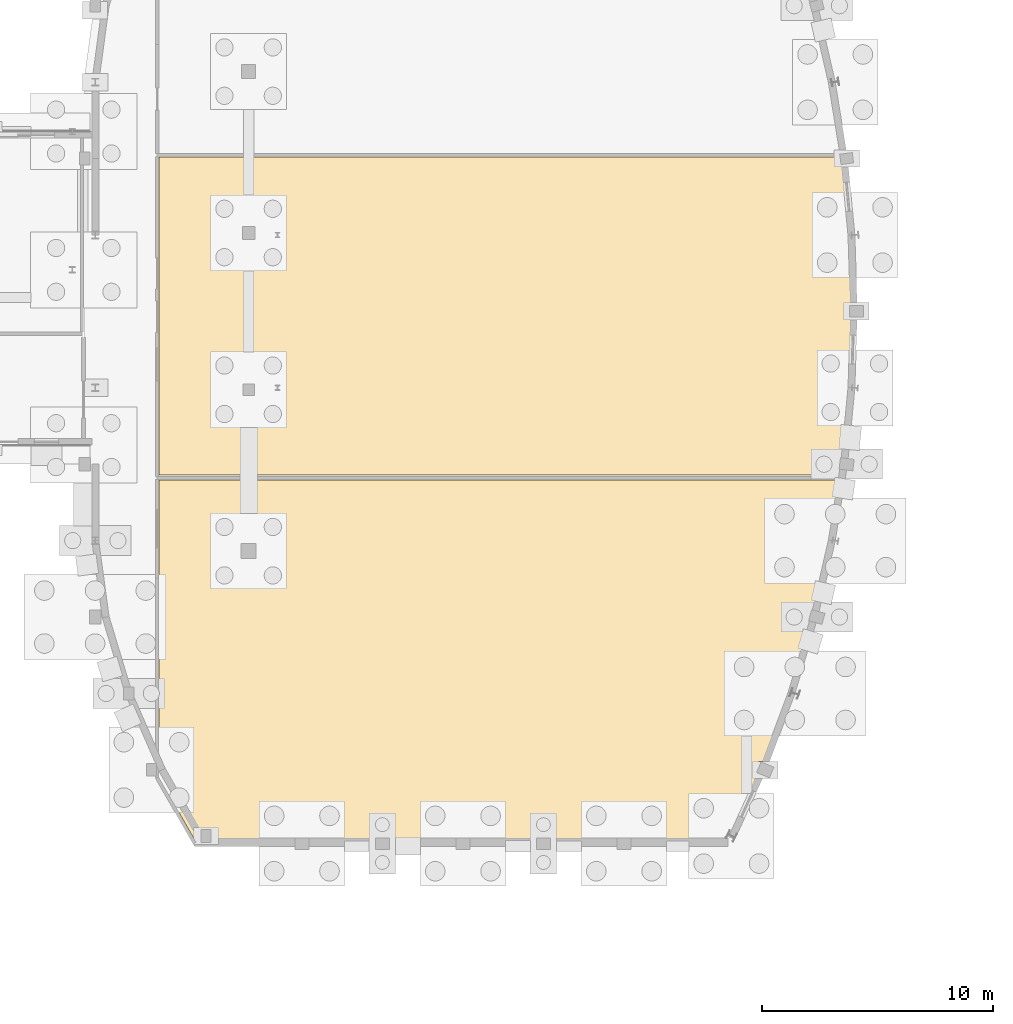
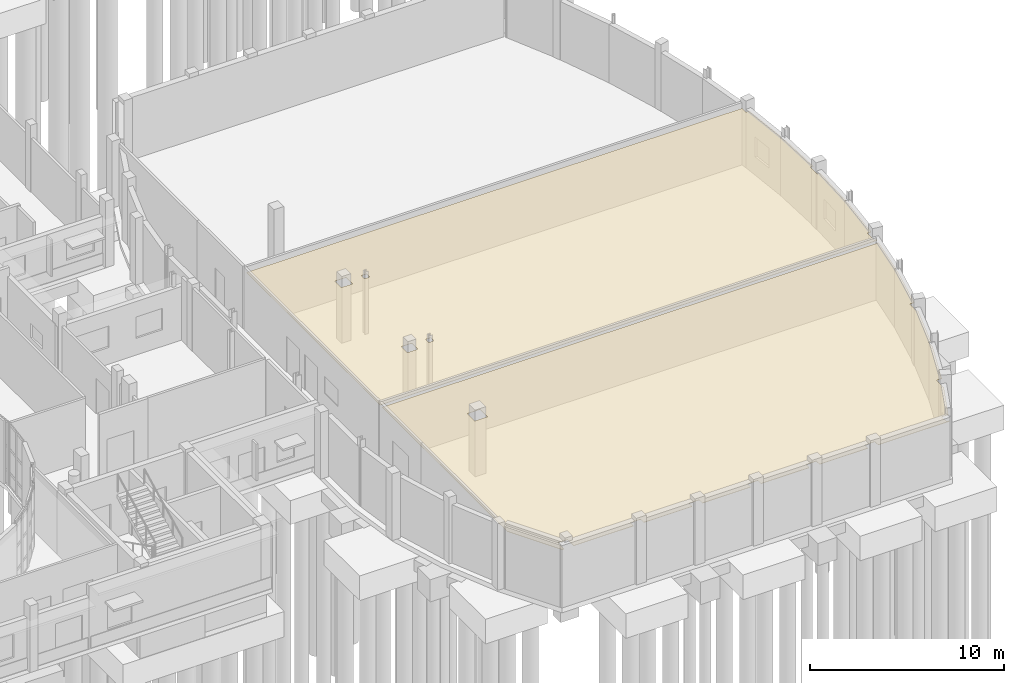
# One storey, part 90 of 93: 2 coverings.
"""IFC4 building model written with IfcOpenShell, lengths in metres."""

from ifc_helpers import new_model, si_unit, direction, frame, origin, place, context, subcontext, project, spatial, polyline, outline, extrude, material, layer, layer_set, type_object, element, save


model = new_model("IFC4")

# Units and contexts
model_context = context("Model", 3, precision=1e-05, world=origin(), true_north=direction((0.0, 1.0)))
body_context = subcontext(model_context, "Body", "Model", "MODEL_VIEW")
ifc_project = project(units=[si_unit("LENGTHUNIT", "METRE"), si_unit("AREAUNIT", "SQUARE_METRE"), si_unit("VOLUMEUNIT", "CUBIC_METRE"), si_unit("PLANEANGLEUNIT", "RADIAN"), si_unit("MASSUNIT", "GRAM", prefix="KILO")], contexts=[model_context])

# Site, building, storey
site_placement = place(None, origin())
site = spatial("IfcSite", under=ifc_project, at=site_placement, CompositionType="ELEMENT")
building_placement = place(site_placement, origin())
building = spatial("IfcBuilding", under=site, at=building_placement, Name="Kelanivale Promenade Academy", CompositionType="ELEMENT")
storey_placement = place(building_placement, origin())
storey = spatial("IfcBuildingStorey", under=building, at=storey_placement, Name="L00", CompositionType="ELEMENT", Elevation=0.0)

# Coverings
ifc_material = material(Name="Acoustic mineral-fibre ceiling tile 25 mm", Category="gypsum")
ifc_layer = layer(ifc_material, 0.02490234375)
ifc_layer_set = layer_set([ifc_layer], Name="Acoustic mineral-fibre ceiling tile 25 mm")
covering_type = type_object("IfcCoveringType", Name="COV-CLG1 Acoustic mineral-fibre ceiling tile ", PredefinedType="CEILING", material=ifc_layer_set)
covering_1_placement = place(storey_placement, frame((0.0, 0.0, 3.550048828125)))
element("IfcCovering", 1, at=covering_1_placement, inside=storey, type_object=covering_type, Name="Music Recital Studio acoustic suspended ceiling", PredefinedType="CEILING", context=body_context, shape_type="SweptSolid", body=[
    extrude(outline(polyline([(153.447998046875, 39.410888671875), (153.447021484375, 39.4130859375), (153.445068359375, 39.416015625), (153.445068359375, 39.419921875), (153.444091796875, 39.424072265625), (153.444091796875, 39.427978515625), (153.444091796875, 39.830078125), (153.444091796875, 39.833984375), (153.445068359375, 39.837890625), (153.445068359375, 39.842041015625), (153.447021484375, 39.844970703125), (153.447998046875, 39.84912109375), (153.449951171875, 39.85205078125), (153.452880859375, 39.85498046875), (153.455078125, 39.85791015625), (153.4580078125, 39.861083984375), (153.4619140625, 39.863037109375), (153.465087890625, 39.864990234375), (153.468017578125, 39.866943359375), (153.471923828125, 39.867919921875), (153.47607421875, 39.868896484375), (153.47998046875, 39.8701171875), (153.48388671875, 39.8701171875), (153.60498046875, 39.8701171875), (154.4169921875, 42.5830078125), (154.3720703125, 42.5830078125), (154.367919921875, 42.5830078125), (154.364013671875, 42.583984375), (154.360107421875, 42.5849609375), (154.35693359375, 42.5859375), (154.35302734375, 42.587890625), (154.35009765625, 42.590087890625), (154.346923828125, 42.592041015625), (154.343994140625, 42.594970703125), (154.341064453125, 42.597900390625), (154.339111328125, 42.60107421875), (154.3369140625, 42.60400390625), (154.3349609375, 42.60791015625), (154.333984375, 42.611083984375), (154.3330078125, 42.614990234375), (154.33203125, 42.618896484375), (154.33203125, 42.623046875), (154.33203125, 43.262939453125), (154.33203125, 43.26708984375), (154.3330078125, 43.27099609375), (154.333984375, 43.27490234375), (154.3349609375, 43.278076171875), (154.3369140625, 43.281982421875), (154.339111328125, 43.284912109375), (154.341064453125, 43.2880859375), (154.343994140625, 43.291015625), (154.346923828125, 43.2939453125), (154.35009765625, 43.2958984375), (154.35302734375, 43.298095703125), (154.35693359375, 43.300048828125), (154.360107421875, 43.301025390625), (154.364013671875, 43.302001953125), (154.367919921875, 43.302978515625), (154.3720703125, 43.302978515625), (154.610107421875, 43.302978515625), (155.2529296875, 46.10791015625), (155.2529296875, 46.406982421875), (155.2529296875, 46.410888671875), (155.25390625, 46.4150390625), (155.2548828125, 46.4189453125), (155.256103515625, 46.422119140625), (155.258056640625, 46.426025390625), (155.260009765625, 46.428955078125), (155.261962890625, 46.43310546875), (155.264892578125, 46.43505859375), (155.26708984375, 46.43798828125), (155.27099609375, 46.43994140625), (155.27392578125, 46.44189453125), (155.278076171875, 46.444091796875), (155.281005859375, 46.445068359375), (155.284912109375, 46.446044921875), (155.2890625, 46.447021484375), (155.29296875, 46.447021484375), (155.320068359375, 46.447021484375), (155.714111328125, 48.889892578125), (126.110107421875, 48.889892578125), (126.110107421875, 35.987060546875), (127.737060546875, 33.14990234375), (127.864990234375, 33.14990234375), (127.864990234375, 33.15087890625), (127.864990234375, 33.155029296875), (127.864990234375, 33.7451171875), (127.864990234375, 33.7490234375), (127.865966796875, 33.7529296875), (127.866943359375, 33.757080078125), (127.867919921875, 33.760009765625), (127.8701171875, 33.763916015625), (127.8720703125, 33.76708984375), (127.8740234375, 33.77001953125), (127.876953125, 33.77294921875), (127.8798828125, 33.77587890625), (127.883056640625, 33.778076171875), (127.885986328125, 33.780029296875), (127.889892578125, 33.781982421875), (127.89306640625, 33.782958984375), (127.89697265625, 33.783935546875), (127.90087890625, 33.784912109375), (127.905029296875, 33.784912109375), (128.39501953125, 33.784912109375), (128.39892578125, 33.784912109375), (128.403076171875, 33.783935546875), (128.406982421875, 33.782958984375), (128.409912109375, 33.781982421875), (128.4140625, 33.780029296875), (128.4169921875, 33.778076171875), (128.419921875, 33.77587890625), (128.423095703125, 33.77294921875), (128.426025390625, 33.77001953125), (128.427978515625, 33.76708984375), (128.429931640625, 33.763916015625), (128.431884765625, 33.760009765625), (128.43310546875, 33.757080078125), (128.43408203125, 33.7529296875), (128.43505859375, 33.7490234375), (128.43505859375, 33.7451171875), (128.43505859375, 33.155029296875), (128.43505859375, 33.15087890625), (128.43505859375, 33.14990234375), (131.998046875, 33.14990234375), (131.998046875, 33.43994140625), (131.998046875, 33.444091796875), (131.9990234375, 33.447998046875), (132.0, 33.451904296875), (132.0009765625, 33.455078125), (132.0029296875, 33.458984375), (132.0048828125, 33.4619140625), (132.007080078125, 33.465087890625), (132.010009765625, 33.468017578125), (132.012939453125, 33.470947265625), (132.01611328125, 33.472900390625), (132.01904296875, 33.47509765625), (132.02294921875, 33.47705078125), (132.02587890625, 33.47802734375), (132.030029296875, 33.47900390625), (132.033935546875, 33.47998046875), (132.0380859375, 33.47998046875), (132.577880859375, 33.47998046875), (132.58203125, 33.47998046875), (132.5859375, 33.47900390625), (132.590087890625, 33.47802734375), (132.593017578125, 33.47705078125), (132.596923828125, 33.47509765625), (132.60009765625, 33.472900390625), (132.60302734375, 33.470947265625), (132.60595703125, 33.468017578125), (132.60888671875, 33.465087890625), (132.611083984375, 33.4619140625), (132.613037109375, 33.458984375), (132.614990234375, 33.455078125), (132.615966796875, 33.451904296875), (132.616943359375, 33.447998046875), (132.617919921875, 33.444091796875), (132.617919921875, 33.43994140625), (132.617919921875, 33.14990234375), (135.490966796875, 33.14990234375), (135.490966796875, 33.43994140625), (135.490966796875, 33.444091796875), (135.491943359375, 33.447998046875), (135.492919921875, 33.451904296875), (135.493896484375, 33.455078125), (135.49609375, 33.458984375), (135.498046875, 33.4619140625), (135.5, 33.465087890625), (135.5029296875, 33.468017578125), (135.506103515625, 33.470947265625), (135.509033203125, 33.472900390625), (135.511962890625, 33.47509765625), (135.51611328125, 33.47705078125), (135.51904296875, 33.47802734375), (135.52294921875, 33.47900390625), (135.527099609375, 33.47998046875), (135.531005859375, 33.47998046875), (136.071044921875, 33.47998046875), (136.074951171875, 33.47998046875), (136.0791015625, 33.47900390625), (136.0830078125, 33.47802734375), (136.0859375, 33.47705078125), (136.090087890625, 33.47509765625), (136.093017578125, 33.472900390625), (136.095947265625, 33.470947265625), (136.09912109375, 33.468017578125), (136.10205078125, 33.465087890625), (136.10400390625, 33.4619140625), (136.10595703125, 33.458984375), (136.10791015625, 33.455078125), (136.10888671875, 33.451904296875), (136.110107421875, 33.447998046875), (136.111083984375, 33.444091796875), (136.111083984375, 33.43994140625), (136.111083984375, 33.14990234375), (138.98388671875, 33.14990234375), (138.98388671875, 33.43994140625), (138.98388671875, 33.444091796875), (138.985107421875, 33.447998046875), (138.986083984375, 33.451904296875), (138.987060546875, 33.455078125), (138.989013671875, 33.458984375), (138.990966796875, 33.4619140625), (138.992919921875, 33.465087890625), (138.99609375, 33.468017578125), (138.9990234375, 33.470947265625), (139.001953125, 33.472900390625), (139.0048828125, 33.47509765625), (139.009033203125, 33.47705078125), (139.011962890625, 33.47802734375), (139.01611328125, 33.47900390625), (139.02001953125, 33.47998046875), (139.02392578125, 33.47998046875), (139.56396484375, 33.47998046875), (139.568115234375, 33.47998046875), (139.572021484375, 33.47900390625), (139.575927734375, 33.47802734375), (139.5791015625, 33.47705078125), (139.5830078125, 33.47509765625), (139.5859375, 33.472900390625), (139.589111328125, 33.470947265625), (139.592041015625, 33.468017578125), (139.594970703125, 33.465087890625), (139.596923828125, 33.4619140625), (139.59912109375, 33.458984375), (139.60107421875, 33.455078125), (139.60205078125, 33.451904296875), (139.60302734375, 33.447998046875), (139.60400390625, 33.444091796875), (139.60400390625, 33.43994140625), (139.60400390625, 33.14990234375), (142.47705078125, 33.14990234375), (142.47705078125, 33.43994140625), (142.47705078125, 33.444091796875), (142.47802734375, 33.447998046875), (142.47900390625, 33.451904296875), (142.47998046875, 33.455078125), (142.48193359375, 33.458984375), (142.48388671875, 33.4619140625), (142.486083984375, 33.465087890625), (142.489013671875, 33.468017578125), (142.491943359375, 33.470947265625), (142.4951171875, 33.472900390625), (142.498046875, 33.47509765625), (142.501953125, 33.47705078125), (142.5048828125, 33.47802734375), (142.509033203125, 33.47900390625), (142.512939453125, 33.47998046875), (142.51708984375, 33.47998046875), (143.056884765625, 33.47998046875), (143.06103515625, 33.47998046875), (143.06494140625, 33.47900390625), (143.069091796875, 33.47802734375), (143.072021484375, 33.47705078125), (143.075927734375, 33.47509765625), (143.0791015625, 33.472900390625), (143.08203125, 33.470947265625), (143.0849609375, 33.468017578125), (143.087890625, 33.465087890625), (143.090087890625, 33.4619140625), (143.092041015625, 33.458984375), (143.093994140625, 33.455078125), (143.094970703125, 33.451904296875), (143.095947265625, 33.447998046875), (143.096923828125, 33.444091796875), (143.096923828125, 33.43994140625), (143.096923828125, 33.14990234375), (145.969970703125, 33.14990234375), (145.969970703125, 33.43994140625), (145.969970703125, 33.444091796875), (145.970947265625, 33.447998046875), (145.971923828125, 33.451904296875), (145.972900390625, 33.455078125), (145.97509765625, 33.458984375), (145.97705078125, 33.4619140625), (145.97900390625, 33.465087890625), (145.98193359375, 33.468017578125), (145.985107421875, 33.470947265625), (145.988037109375, 33.472900390625), (145.990966796875, 33.47509765625), (145.9951171875, 33.47705078125), (145.998046875, 33.47802734375), (146.001953125, 33.47900390625), (146.006103515625, 33.47998046875), (146.010009765625, 33.47998046875), (146.550048828125, 33.47998046875), (146.553955078125, 33.47998046875), (146.55810546875, 33.47900390625), (146.56201171875, 33.47802734375), (146.56494140625, 33.47705078125), (146.569091796875, 33.47509765625), (146.572021484375, 33.472900390625), (146.574951171875, 33.470947265625), (146.577880859375, 33.468017578125), (146.5810546875, 33.465087890625), (146.5830078125, 33.4619140625), (146.5849609375, 33.458984375), (146.5869140625, 33.455078125), (146.587890625, 33.451904296875), (146.589111328125, 33.447998046875), (146.590087890625, 33.444091796875), (146.590087890625, 33.43994140625), (146.590087890625, 33.14990234375), (150.842041015625, 33.14990234375), (150.867919921875, 33.208984375), (150.73291015625, 33.208984375), (150.72900390625, 33.208984375), (150.72509765625, 33.2099609375), (150.720947265625, 33.2109375), (150.717041015625, 33.2119140625), (150.714111328125, 33.214111328125), (150.7109375, 33.216064453125), (150.70703125, 33.218017578125), (150.7041015625, 33.220947265625), (150.701904296875, 33.22412109375), (150.698974609375, 33.22705078125), (150.697021484375, 33.22998046875), (150.696044921875, 33.23388671875), (150.694091796875, 33.237060546875), (150.694091796875, 33.240966796875), (150.693115234375, 33.2451171875), (150.693115234375, 33.2490234375), (150.693115234375, 33.65087890625), (150.693115234375, 33.655029296875), (150.694091796875, 33.658935546875), (150.694091796875, 33.6630859375), (150.696044921875, 33.666015625), (150.697021484375, 33.669921875), (150.698974609375, 33.673095703125), (150.701904296875, 33.676025390625), (150.7041015625, 33.678955078125), (150.70703125, 33.681884765625), (150.7109375, 33.68408203125), (150.714111328125, 33.68603515625), (150.717041015625, 33.68798828125), (150.720947265625, 33.68896484375), (150.72509765625, 33.68994140625), (150.72900390625, 33.69091796875), (150.73291015625, 33.69091796875), (151.087890625, 33.69091796875), (152.1201171875, 35.9580078125), (152.117919921875, 35.958984375), (152.114990234375, 35.9609375), (152.112060546875, 35.962890625), (152.10888671875, 35.966064453125), (152.10595703125, 35.968994140625), (152.10400390625, 35.971923828125), (152.10205078125, 35.97509765625), (152.10009765625, 35.97900390625), (152.09912109375, 35.98193359375), (152.097900390625, 35.986083984375), (152.096923828125, 35.989990234375), (152.096923828125, 35.993896484375), (152.096923828125, 36.634033203125), (152.096923828125, 36.637939453125), (152.097900390625, 36.64208984375), (152.09912109375, 36.64599609375), (152.10009765625, 36.64892578125), (152.10205078125, 36.653076171875), (152.10400390625, 36.656005859375), (152.10595703125, 36.658935546875), (152.10888671875, 36.662109375), (152.112060546875, 36.6650390625), (152.114990234375, 36.6669921875), (152.117919921875, 36.6689453125), (152.1220703125, 36.6708984375), (152.125, 36.672119140625), (152.12890625, 36.673095703125), (152.133056640625, 36.674072265625), (152.136962890625, 36.674072265625), (152.4208984375, 36.674072265625), (153.447998046875, 39.410888671875)]), holes=[polyline([(130.385009765625, 45.455078125), (130.385009765625, 45.450927734375), (130.384033203125, 45.447021484375), (130.383056640625, 45.443115234375), (130.382080078125, 45.43994140625), (130.3798828125, 45.43603515625), (130.3779296875, 45.43310546875), (130.3759765625, 45.429931640625), (130.373046875, 45.427001953125), (130.3701171875, 45.424072265625), (130.366943359375, 45.422119140625), (130.364013671875, 45.419921875), (130.360107421875, 45.41796875), (130.35693359375, 45.4169921875), (130.35302734375, 45.416015625), (130.34912109375, 45.4150390625), (130.344970703125, 45.4150390625), (129.655029296875, 45.4150390625), (129.65087890625, 45.4150390625), (129.64697265625, 45.416015625), (129.64306640625, 45.4169921875), (129.639892578125, 45.41796875), (129.635986328125, 45.419921875), (129.633056640625, 45.422119140625), (129.6298828125, 45.424072265625), (129.626953125, 45.427001953125), (129.6240234375, 45.429931640625), (129.6220703125, 45.43310546875), (129.6201171875, 45.43603515625), (129.617919921875, 45.43994140625), (129.616943359375, 45.443115234375), (129.615966796875, 45.447021484375), (129.614990234375, 45.450927734375), (129.614990234375, 45.455078125), (129.614990234375, 46.14501953125), (129.614990234375, 46.14892578125), (129.615966796875, 46.153076171875), (129.616943359375, 46.156982421875), (129.617919921875, 46.159912109375), (129.6201171875, 46.1640625), (129.6220703125, 46.1669921875), (129.6240234375, 46.169921875), (129.626953125, 46.173095703125), (129.6298828125, 46.176025390625), (129.633056640625, 46.177978515625), (129.635986328125, 46.179931640625), (129.639892578125, 46.181884765625), (129.64306640625, 46.18310546875), (129.64697265625, 46.18408203125), (129.65087890625, 46.18505859375), (129.655029296875, 46.18505859375), (130.344970703125, 46.18505859375), (130.34912109375, 46.18505859375), (130.35302734375, 46.18408203125), (130.35693359375, 46.18310546875), (130.360107421875, 46.181884765625), (130.364013671875, 46.179931640625), (130.366943359375, 46.177978515625), (130.3701171875, 46.176025390625), (130.373046875, 46.173095703125), (130.3759765625, 46.169921875), (130.3779296875, 46.1669921875), (130.3798828125, 46.1640625), (130.382080078125, 46.159912109375), (130.383056640625, 46.156982421875), (130.384033203125, 46.153076171875), (130.385009765625, 46.14892578125), (130.385009765625, 46.14501953125), (130.385009765625, 45.455078125)])]), origin(), (0.0, 0.0, 1.0), 0.02490234375),
])
covering_2_placement = place(storey_placement, frame((0.0, 0.0, 3.550048828125)))
element("IfcCovering", 2, at=covering_2_placement, inside=storey, type_object=covering_type, Name="Drama Black-Box Studio acoustic suspended ceiling", PredefinedType="CEILING", context=body_context, shape_type="SweptSolid", body=[
    extrude(outline(polyline([(155.75, 49.110107421875), (155.76611328125, 49.2109375), (155.666015625, 49.2109375), (155.662109375, 49.2109375), (155.657958984375, 49.2119140625), (155.654052734375, 49.212890625), (155.65087890625, 49.214111328125), (155.64697265625, 49.216064453125), (155.64404296875, 49.218017578125), (155.64111328125, 49.219970703125), (155.637939453125, 49.222900390625), (155.635009765625, 49.22607421875), (155.633056640625, 49.22900390625), (155.631103515625, 49.23193359375), (155.62890625, 49.236083984375), (155.6279296875, 49.239013671875), (155.626953125, 49.242919921875), (155.6259765625, 49.2470703125), (155.6259765625, 49.2509765625), (155.6259765625, 49.89111328125), (155.6259765625, 49.89501953125), (155.626953125, 49.89892578125), (155.6279296875, 49.903076171875), (155.62890625, 49.906005859375), (155.631103515625, 49.909912109375), (155.633056640625, 49.9130859375), (155.635009765625, 49.916015625), (155.637939453125, 49.9189453125), (155.64111328125, 49.922119140625), (155.64404296875, 49.924072265625), (155.64697265625, 49.926025390625), (155.65087890625, 49.927978515625), (155.654052734375, 49.928955078125), (155.657958984375, 49.929931640625), (155.662109375, 49.930908203125), (155.666015625, 49.930908203125), (155.860107421875, 49.930908203125), (156.1259765625, 52.700927734375), (156.1240234375, 52.702880859375), (156.1201171875, 52.705078125), (156.117919921875, 52.7080078125), (156.114990234375, 52.7099609375), (156.113037109375, 52.714111328125), (156.111083984375, 52.717041015625), (156.10888671875, 52.720947265625), (156.10791015625, 52.72412109375), (156.10693359375, 52.72802734375), (156.10595703125, 52.73193359375), (156.10595703125, 52.736083984375), (156.10595703125, 53.035888671875), (156.10595703125, 53.0400390625), (156.10693359375, 53.0439453125), (156.10791015625, 53.048095703125), (156.10888671875, 53.051025390625), (156.111083984375, 53.054931640625), (156.113037109375, 53.05810546875), (156.114990234375, 53.06201171875), (156.117919921875, 53.06396484375), (156.1201171875, 53.06689453125), (156.1240234375, 53.069091796875), (156.126953125, 53.071044921875), (156.131103515625, 53.072998046875), (156.134033203125, 53.073974609375), (156.137939453125, 53.074951171875), (156.14208984375, 53.075927734375), (156.14599609375, 53.075927734375), (156.14990234375, 53.075927734375), (156.238037109375, 55.840087890625), (156.090087890625, 55.840087890625), (156.0859375, 55.840087890625), (156.08203125, 55.841064453125), (156.077880859375, 55.842041015625), (156.074951171875, 55.843017578125), (156.071044921875, 55.844970703125), (156.068115234375, 55.846923828125), (156.06494140625, 55.84912109375), (156.06201171875, 55.85205078125), (156.05908203125, 55.85498046875), (156.056884765625, 55.85791015625), (156.054931640625, 55.861083984375), (156.052978515625, 55.864990234375), (156.052001953125, 55.867919921875), (156.051025390625, 55.8720703125), (156.050048828125, 55.8759765625), (156.050048828125, 55.8798828125), (156.050048828125, 56.52001953125), (156.050048828125, 56.52392578125), (156.051025390625, 56.528076171875), (156.052001953125, 56.531982421875), (156.052978515625, 56.534912109375), (156.054931640625, 56.5390625), (156.056884765625, 56.5419921875), (156.05908203125, 56.544921875), (156.06201171875, 56.548095703125), (156.06494140625, 56.551025390625), (156.068115234375, 56.552978515625), (156.071044921875, 56.554931640625), (156.074951171875, 56.556884765625), (156.077880859375, 56.55810546875), (156.08203125, 56.55908203125), (156.0859375, 56.56005859375), (156.090087890625, 56.56005859375), (156.238037109375, 56.56005859375), (156.15087890625, 59.297119140625), (156.1201171875, 59.297119140625), (156.115966796875, 59.297119140625), (156.112060546875, 59.298095703125), (156.10888671875, 59.298095703125), (156.10498046875, 59.300048828125), (156.10107421875, 59.301025390625), (156.097900390625, 59.302978515625), (156.094970703125, 59.305908203125), (156.092041015625, 59.30810546875), (156.089111328125, 59.31103515625), (156.0869140625, 59.31494140625), (156.0849609375, 59.318115234375), (156.0830078125, 59.321044921875), (156.08203125, 59.324951171875), (156.0810546875, 59.3291015625), (156.080078125, 59.3330078125), (156.080078125, 59.3369140625), (156.080078125, 59.69091796875), (156.080078125, 59.695068359375), (156.0810546875, 59.698974609375), (156.08203125, 59.702880859375), (156.0830078125, 59.70703125), (156.0849609375, 59.7099609375), (156.0869140625, 59.712890625), (156.089111328125, 59.717041015625), (156.092041015625, 59.719970703125), (156.094970703125, 59.721923828125), (156.097900390625, 59.72509765625), (156.10107421875, 59.72705078125), (156.10498046875, 59.72802734375), (156.10888671875, 59.72998046875), (156.112060546875, 59.72998046875), (156.115966796875, 59.73095703125), (156.1201171875, 59.73095703125), (156.1220703125, 59.73095703125), (155.85791015625, 62.493896484375), (155.69091796875, 62.493896484375), (155.68701171875, 62.493896484375), (155.68310546875, 62.4951171875), (155.678955078125, 62.49609375), (155.676025390625, 62.4970703125), (155.672119140625, 62.4990234375), (155.6689453125, 62.5009765625), (155.666015625, 62.5029296875), (155.6630859375, 62.506103515625), (155.659912109375, 62.509033203125), (155.657958984375, 62.511962890625), (155.656005859375, 62.514892578125), (155.654052734375, 62.51904296875), (155.653076171875, 62.52197265625), (155.652099609375, 62.52587890625), (155.65087890625, 62.530029296875), (155.65087890625, 62.533935546875), (155.65087890625, 62.889892578125), (126.110107421875, 62.889892578125), (126.110107421875, 49.110107421875), (155.75, 49.110107421875)]), holes=[polyline([(131.412109375, 52.762939453125), (131.412109375, 52.759033203125), (131.410888671875, 52.7548828125), (131.409912109375, 52.7509765625), (131.408935546875, 52.748046875), (131.406982421875, 52.743896484375), (131.405029296875, 52.740966796875), (131.403076171875, 52.738037109375), (131.39990234375, 52.735107421875), (131.39794921875, 52.73193359375), (131.39404296875, 52.72998046875), (131.39111328125, 52.72802734375), (131.386962890625, 52.72607421875), (131.384033203125, 52.72509765625), (131.3798828125, 52.72412109375), (131.3759765625, 52.722900390625), (131.3720703125, 52.722900390625), (131.1279296875, 52.722900390625), (131.1240234375, 52.722900390625), (131.1201171875, 52.72412109375), (131.115966796875, 52.72509765625), (131.113037109375, 52.72607421875), (131.10888671875, 52.72802734375), (131.10595703125, 52.72998046875), (131.10205078125, 52.73193359375), (131.10009765625, 52.735107421875), (131.096923828125, 52.738037109375), (131.094970703125, 52.740966796875), (131.093017578125, 52.743896484375), (131.091064453125, 52.748046875), (131.090087890625, 52.7509765625), (131.089111328125, 52.7548828125), (131.087890625, 52.759033203125), (131.087890625, 52.762939453125), (131.087890625, 53.009033203125), (131.087890625, 53.012939453125), (131.089111328125, 53.01708984375), (131.090087890625, 53.02099609375), (131.091064453125, 53.02392578125), (131.093017578125, 53.028076171875), (131.094970703125, 53.031005859375), (131.096923828125, 53.033935546875), (131.10009765625, 53.037109375), (131.10205078125, 53.0400390625), (131.10595703125, 53.0419921875), (131.10888671875, 53.0439453125), (131.113037109375, 53.0458984375), (131.115966796875, 53.047119140625), (131.1201171875, 53.048095703125), (131.1240234375, 53.049072265625), (131.1279296875, 53.049072265625), (131.3720703125, 53.049072265625), (131.3759765625, 53.049072265625), (131.3798828125, 53.048095703125), (131.384033203125, 53.047119140625), (131.386962890625, 53.0458984375), (131.39111328125, 53.0439453125), (131.39404296875, 53.0419921875), (131.39794921875, 53.0400390625), (131.39990234375, 53.037109375), (131.403076171875, 53.033935546875), (131.405029296875, 53.031005859375), (131.406982421875, 53.028076171875), (131.408935546875, 53.02392578125), (131.409912109375, 53.02099609375), (131.410888671875, 53.01708984375), (131.412109375, 53.012939453125), (131.412109375, 53.009033203125), (131.412109375, 52.762939453125)]), polyline([(131.412109375, 59.39111328125), (131.412109375, 59.386962890625), (131.410888671875, 59.383056640625), (131.409912109375, 59.37890625), (131.408935546875, 59.3759765625), (131.406982421875, 59.3720703125), (131.405029296875, 59.368896484375), (131.403076171875, 59.365966796875), (131.39990234375, 59.363037109375), (131.39794921875, 59.360107421875), (131.39404296875, 59.35791015625), (131.39111328125, 59.35595703125), (131.386962890625, 59.35400390625), (131.384033203125, 59.35302734375), (131.3798828125, 59.35205078125), (131.3759765625, 59.35107421875), (131.3720703125, 59.35107421875), (131.1279296875, 59.35107421875), (131.1240234375, 59.35107421875), (131.1201171875, 59.35205078125), (131.115966796875, 59.35302734375), (131.113037109375, 59.35400390625), (131.10888671875, 59.35595703125), (131.10595703125, 59.35791015625), (131.10205078125, 59.360107421875), (131.10009765625, 59.363037109375), (131.096923828125, 59.365966796875), (131.094970703125, 59.368896484375), (131.093017578125, 59.3720703125), (131.091064453125, 59.3759765625), (131.090087890625, 59.37890625), (131.089111328125, 59.383056640625), (131.087890625, 59.386962890625), (131.087890625, 59.39111328125), (131.087890625, 59.636962890625), (131.087890625, 59.64111328125), (131.089111328125, 59.64501953125), (131.090087890625, 59.64892578125), (131.091064453125, 59.652099609375), (131.093017578125, 59.656005859375), (131.094970703125, 59.658935546875), (131.096923828125, 59.662109375), (131.10009765625, 59.6650390625), (131.10205078125, 59.66796875), (131.10595703125, 59.669921875), (131.10888671875, 59.672119140625), (131.113037109375, 59.674072265625), (131.115966796875, 59.675048828125), (131.1201171875, 59.676025390625), (131.1240234375, 59.677001953125), (131.1279296875, 59.677001953125), (131.3720703125, 59.677001953125), (131.3759765625, 59.677001953125), (131.3798828125, 59.676025390625), (131.384033203125, 59.675048828125), (131.386962890625, 59.674072265625), (131.39111328125, 59.672119140625), (131.39404296875, 59.669921875), (131.39794921875, 59.66796875), (131.39990234375, 59.6650390625), (131.403076171875, 59.662109375), (131.405029296875, 59.658935546875), (131.406982421875, 59.656005859375), (131.408935546875, 59.652099609375), (131.409912109375, 59.64892578125), (131.410888671875, 59.64501953125), (131.412109375, 59.64111328125), (131.412109375, 59.636962890625), (131.412109375, 59.39111328125)]), polyline([(129.705078125, 59.264892578125), (129.700927734375, 59.264892578125), (129.697021484375, 59.26611328125), (129.693115234375, 59.26708984375), (129.68994140625, 59.26806640625), (129.68603515625, 59.27001953125), (129.68310546875, 59.27197265625), (129.679931640625, 59.27392578125), (129.677001953125, 59.277099609375), (129.674072265625, 59.280029296875), (129.672119140625, 59.282958984375), (129.669921875, 59.285888671875), (129.66796875, 59.2900390625), (129.6669921875, 59.29296875), (129.666015625, 59.297119140625), (129.6650390625, 59.301025390625), (129.6650390625, 59.304931640625), (129.6650390625, 59.89501953125), (129.6650390625, 59.89892578125), (129.666015625, 59.903076171875), (129.6669921875, 59.906982421875), (129.66796875, 59.909912109375), (129.669921875, 59.9140625), (129.672119140625, 59.9169921875), (129.674072265625, 59.919921875), (129.677001953125, 59.923095703125), (129.679931640625, 59.926025390625), (129.68310546875, 59.927978515625), (129.68603515625, 59.929931640625), (129.68994140625, 59.931884765625), (129.693115234375, 59.93310546875), (129.697021484375, 59.93408203125), (129.700927734375, 59.93505859375), (129.705078125, 59.93505859375), (130.294921875, 59.93505859375), (130.299072265625, 59.93505859375), (130.302978515625, 59.93408203125), (130.306884765625, 59.93310546875), (130.31005859375, 59.931884765625), (130.31396484375, 59.929931640625), (130.31689453125, 59.927978515625), (130.320068359375, 59.926025390625), (130.322998046875, 59.923095703125), (130.325927734375, 59.919921875), (130.327880859375, 59.9169921875), (130.330078125, 59.9140625), (130.33203125, 59.909912109375), (130.3330078125, 59.906982421875), (130.333984375, 59.903076171875), (130.3349609375, 59.89892578125), (130.3349609375, 59.89501953125), (130.3349609375, 59.304931640625), (130.3349609375, 59.301025390625), (130.333984375, 59.297119140625), (130.3330078125, 59.29296875), (130.33203125, 59.2900390625), (130.330078125, 59.285888671875), (130.327880859375, 59.282958984375), (130.325927734375, 59.280029296875), (130.322998046875, 59.277099609375), (130.320068359375, 59.27392578125), (130.31689453125, 59.27197265625), (130.31396484375, 59.27001953125), (130.31005859375, 59.26806640625), (130.306884765625, 59.26708984375), (130.302978515625, 59.26611328125), (130.299072265625, 59.264892578125), (130.294921875, 59.264892578125), (129.705078125, 59.264892578125)]), polyline([(129.72998046875, 52.489990234375), (129.72607421875, 52.489990234375), (129.721923828125, 52.490966796875), (129.718017578125, 52.491943359375), (129.715087890625, 52.492919921875), (129.7109375, 52.4951171875), (129.7080078125, 52.4970703125), (129.705078125, 52.4990234375), (129.701904296875, 52.501953125), (129.698974609375, 52.5048828125), (129.697021484375, 52.508056640625), (129.695068359375, 52.510986328125), (129.693115234375, 52.514892578125), (129.69189453125, 52.51806640625), (129.69091796875, 52.52197265625), (129.68994140625, 52.52587890625), (129.68994140625, 52.530029296875), (129.68994140625, 53.070068359375), (129.68994140625, 53.073974609375), (129.69091796875, 53.077880859375), (129.69189453125, 53.08203125), (129.693115234375, 53.0849609375), (129.695068359375, 53.089111328125), (129.697021484375, 53.092041015625), (129.698974609375, 53.094970703125), (129.701904296875, 53.097900390625), (129.705078125, 53.10107421875), (129.7080078125, 53.10302734375), (129.7109375, 53.10498046875), (129.715087890625, 53.10693359375), (129.718017578125, 53.10791015625), (129.721923828125, 53.10888671875), (129.72607421875, 53.110107421875), (129.72998046875, 53.110107421875), (130.27001953125, 53.110107421875), (130.27392578125, 53.110107421875), (130.278076171875, 53.10888671875), (130.281982421875, 53.10791015625), (130.284912109375, 53.10693359375), (130.2890625, 53.10498046875), (130.2919921875, 53.10302734375), (130.294921875, 53.10107421875), (130.298095703125, 53.097900390625), (130.301025390625, 53.094970703125), (130.302978515625, 53.092041015625), (130.304931640625, 53.089111328125), (130.306884765625, 53.0849609375), (130.30810546875, 53.08203125), (130.30908203125, 53.077880859375), (130.31005859375, 53.073974609375), (130.31005859375, 53.070068359375), (130.31005859375, 52.530029296875), (130.31005859375, 52.52587890625), (130.30908203125, 52.52197265625), (130.30810546875, 52.51806640625), (130.306884765625, 52.514892578125), (130.304931640625, 52.510986328125), (130.302978515625, 52.508056640625), (130.301025390625, 52.5048828125), (130.298095703125, 52.501953125), (130.294921875, 52.4990234375), (130.2919921875, 52.4970703125), (130.2890625, 52.4951171875), (130.284912109375, 52.492919921875), (130.281982421875, 52.491943359375), (130.278076171875, 52.490966796875), (130.27392578125, 52.489990234375), (130.27001953125, 52.489990234375), (129.72998046875, 52.489990234375)])]), origin(), (0.0, 0.0, 1.0), 0.02490234375),
])

save(model, "model.ifc")
